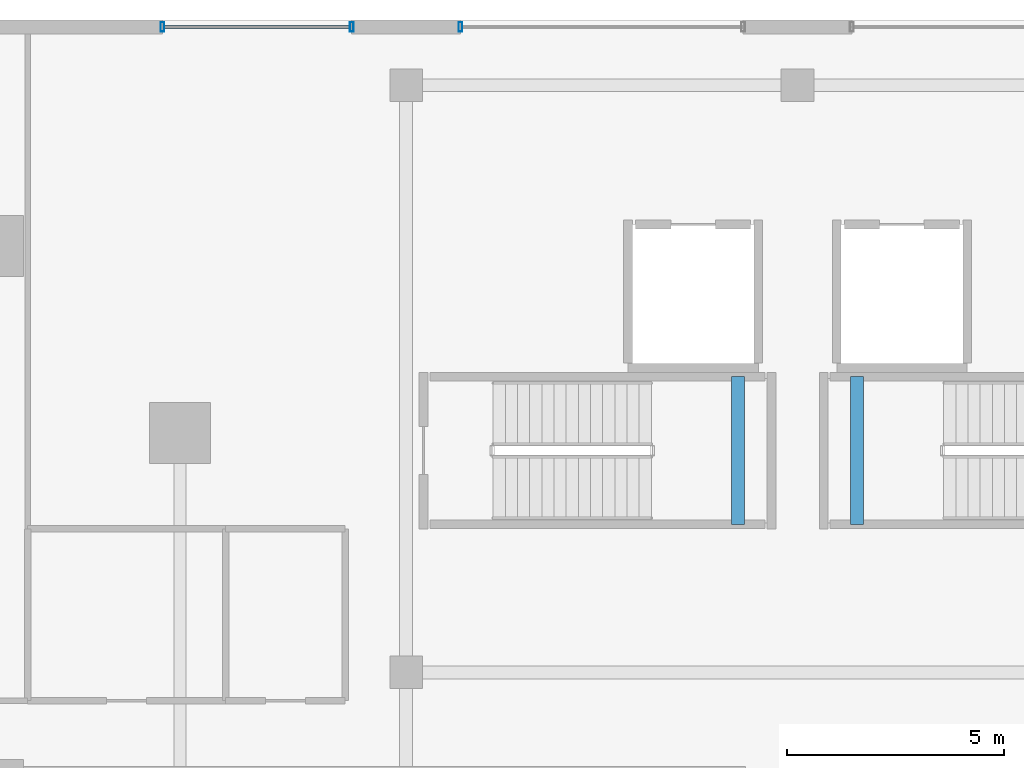
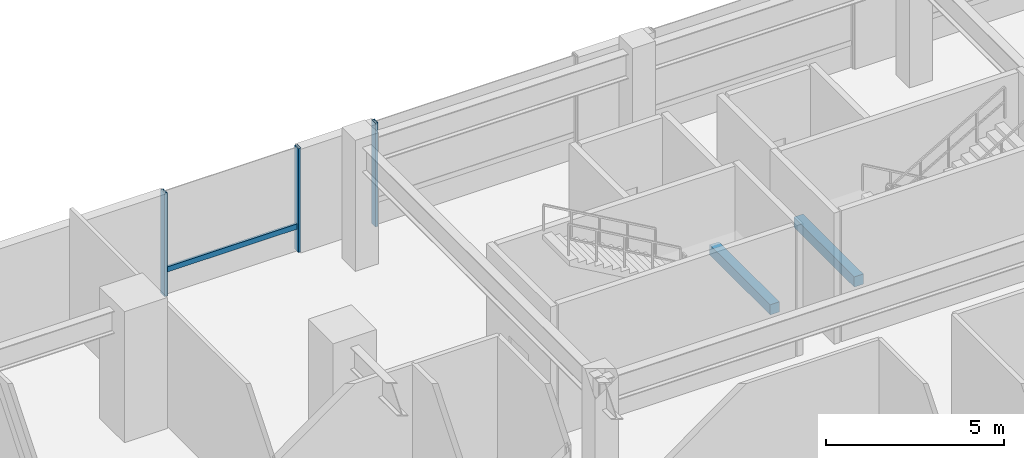
# One storey, part 6 of 25: 4 members, 2 beams, 2 elements without a shape of their own.
"""IFC4 building model written with IfcOpenShell, lengths in metres."""

from ifc_helpers import new_model, si_unit, direction, frame, origin, origin_2d, place, context, subcontext, project, spatial, rectangle, hollow_rectangle, extrude, material, material_profile, profile_set, type_object, element, aggregate, save


model = new_model("IFC4")

# Units and contexts
model_context = context("Model", 3, precision=1e-05, world=origin(), true_north=direction((0.0, 1.0)))
body_context = subcontext(model_context, "Body", "Model", "MODEL_VIEW")
ifc_project = project(units=[si_unit("LENGTHUNIT", "METRE"), si_unit("AREAUNIT", "SQUARE_METRE"), si_unit("VOLUMEUNIT", "CUBIC_METRE"), si_unit("PLANEANGLEUNIT", "RADIAN"), si_unit("MASSUNIT", "GRAM", prefix="KILO")], contexts=[model_context])

# Site, building, storey
site_placement = place(None, origin())
site = spatial("IfcSite", under=ifc_project, at=site_placement, CompositionType="ELEMENT")
building_placement = place(site_placement, origin())
building = spatial("IfcBuilding", under=site, at=building_placement, Name="Thornwick Lancets Civic Towers", CompositionType="ELEMENT")
storey_placement = place(building_placement, frame((0.0, 0.0, 9.60009765625)))
storey = spatial("IfcBuildingStorey", under=building, at=storey_placement, Name="L02", CompositionType="ELEMENT", Elevation=9.60009765625)

# Beams
ifc_material_1 = material(Name="Concrete C40/50", Category="concrete")
ifc_material_profile_1 = material_profile(ifc_material_1, rectangle(XDim=0.300048828125, YDim=0.35009765625, at=origin_2d()), Name="RC 300x350")
ifc_profile_set_1 = profile_set([ifc_material_profile_1], Name="Concrete C40/50")
beam_type = type_object("IfcBeamType", Name="BM_STAIR_LDG", PredefinedType="BEAM", material=ifc_profile_set_1)
for number, where, z_axis, x_axis, name in (
    (1, (55.635009765625, 37.89990234375, 1.827880859375), (0.0, 1.0, 0.0), (-1.0, 0.0, 0.0), "L02 ST-P5 Landing Support Beam 1"),
    (2, (58.364990234375, 41.300048828125, 1.827880859375), (0.0, -1.0, 0.0), (1.0, 0.0, 0.0), "L02 ST-P6 Landing Support Beam 1"),
):
    element("IfcBeam", number, at=place(storey_placement, frame(where, z_axis=z_axis, x_axis=x_axis)), inside=storey, type_object=beam_type, Name=name, PredefinedType="BEAM", context=body_context, shape_type="SweptSolid", body=[
        extrude(rectangle(XDim=0.300048828125, YDim=0.35009765625, at=origin_2d()), origin(), (0.0, 0.0, 1.0), 3.400146484375),
    ])

# Curtain wall, member
ifc_material_2 = material(Name="Terracotta-trimmed cascading podium ribbon curtain wall", Category="masonry")
curtain_wall_type = type_object("IfcCurtainWallType", Name="CW_SYS_02", PredefinedType="NOTDEFINED", material=ifc_material_2)
curtain_wall_1_placement = place(storey_placement, origin())
curtain_wall_1 = element("IfcCurtainWall", 3, at=curtain_wall_1_placement, inside=storey, type_object=curtain_wall_type, Name="L02 Curtain Wall CW-L02-POD-NC-S3", PredefinedType="NOTDEFINED")
ifc_material_3 = material(Name="Thermally broken bronze aluminium S355", Category="steel")
ifc_material_profile_2 = material_profile(ifc_material_3, hollow_rectangle(XDim=0.090087890625, YDim=0.219970703125, WallThickness=0.00634765625, at=origin_2d()), Name="RHS 220x90x6.3")
ifc_profile_set_2 = profile_set([ifc_material_profile_2], Name="Thermally broken bronze aluminium S355")
member_type_1 = type_object("IfcMemberType", Name="CW_MUL_220", PredefinedType="MULLION", material=ifc_profile_set_2)
member_1_placement = place(storey_placement, frame((49.25, 49.340087890625, 0.0), z_axis=(0.0, 0.0, 1.0), x_axis=(1.0, 0.0, 0.0)))
member_1 = element("IfcMember", 4, at=member_1_placement, type_object=member_type_1, Name="CW-L02-POD-NC-S3 Mullion 1", PredefinedType="MULLION", context=body_context, shape_type="SweptSolid", body=[
    extrude(hollow_rectangle(XDim=0.090087890625, YDim=0.219970703125, WallThickness=0.00634765625, at=origin_2d()), origin(), (0.0, 0.0, 1.0), 3.559814453125),
])
aggregate(curtain_wall_1, [member_1])

# Curtain wall, members
curtain_wall_2_placement = place(storey_placement, origin())
curtain_wall_2 = element("IfcCurtainWall", 5, at=curtain_wall_2_placement, inside=storey, type_object=curtain_wall_type, Name="L02 Curtain Wall CW-L02-POD-NC-S4", PredefinedType="NOTDEFINED")
member_2_placement = place(storey_placement, frame((46.75, 49.340087890625, 0.0), z_axis=(0.0, 0.0, 1.0), x_axis=(1.0, 0.0, 0.0)))
member_2 = element("IfcMember", 6, at=member_2_placement, type_object=member_type_1, Name="CW-L02-POD-NC-S4 Mullion 0", PredefinedType="MULLION", context=body_context, shape_type="SweptSolid", body=[
    extrude(hollow_rectangle(XDim=0.090087890625, YDim=0.219970703125, WallThickness=0.00634765625, at=origin_2d()), origin(), (0.0, 0.0, 1.0), 3.559814453125),
])
member_3_placement = place(storey_placement, frame((42.39990234375, 49.340087890625, 0.0), z_axis=(0.0, 0.0, 1.0), x_axis=(1.0, 0.0, 0.0)))
member_3 = element("IfcMember", 7, at=member_3_placement, type_object=member_type_1, Name="CW-L02-POD-NC-S4 Mullion 1", PredefinedType="MULLION", context=body_context, shape_type="SweptSolid", body=[
    extrude(hollow_rectangle(XDim=0.090087890625, YDim=0.219970703125, WallThickness=0.00634765625, at=origin_2d()), origin(), (0.0, 0.0, 1.0), 3.559814453125),
])
ifc_material_profile_3 = material_profile(ifc_material_3, hollow_rectangle(XDim=0.074951171875, YDim=0.179931640625, WallThickness=0.006103515625, at=origin_2d()), Name="RHS 180x75x6")
ifc_profile_set_3 = profile_set([ifc_material_profile_3], Name="Thermally broken bronze aluminium S355")
member_type_2 = type_object("IfcMemberType", Name="CW_TRN_180", PredefinedType="USERDEFINED", material=ifc_profile_set_3)
member_4_placement = place(storey_placement, frame((46.72998046875, 49.340087890625, 0.849853515625), z_axis=(-1.0, 0.0, 0.0), x_axis=(0.0, -1.0, 0.0)))
member_4 = element("IfcMember", 8, at=member_4_placement, type_object=member_type_2, Name="CW-L02-POD-NC-S4 Transom 0", ObjectType="TRANSOM", PredefinedType="USERDEFINED", context=body_context, shape_type="SweptSolid", body=[
    extrude(hollow_rectangle(XDim=0.074951171875, YDim=0.179931640625, WallThickness=0.006103515625, at=origin_2d()), origin(), (0.0, 0.0, 1.0), 4.31005859375),
])
aggregate(curtain_wall_2, [member_2, member_3, member_4])

save(model, "model.ifc")
